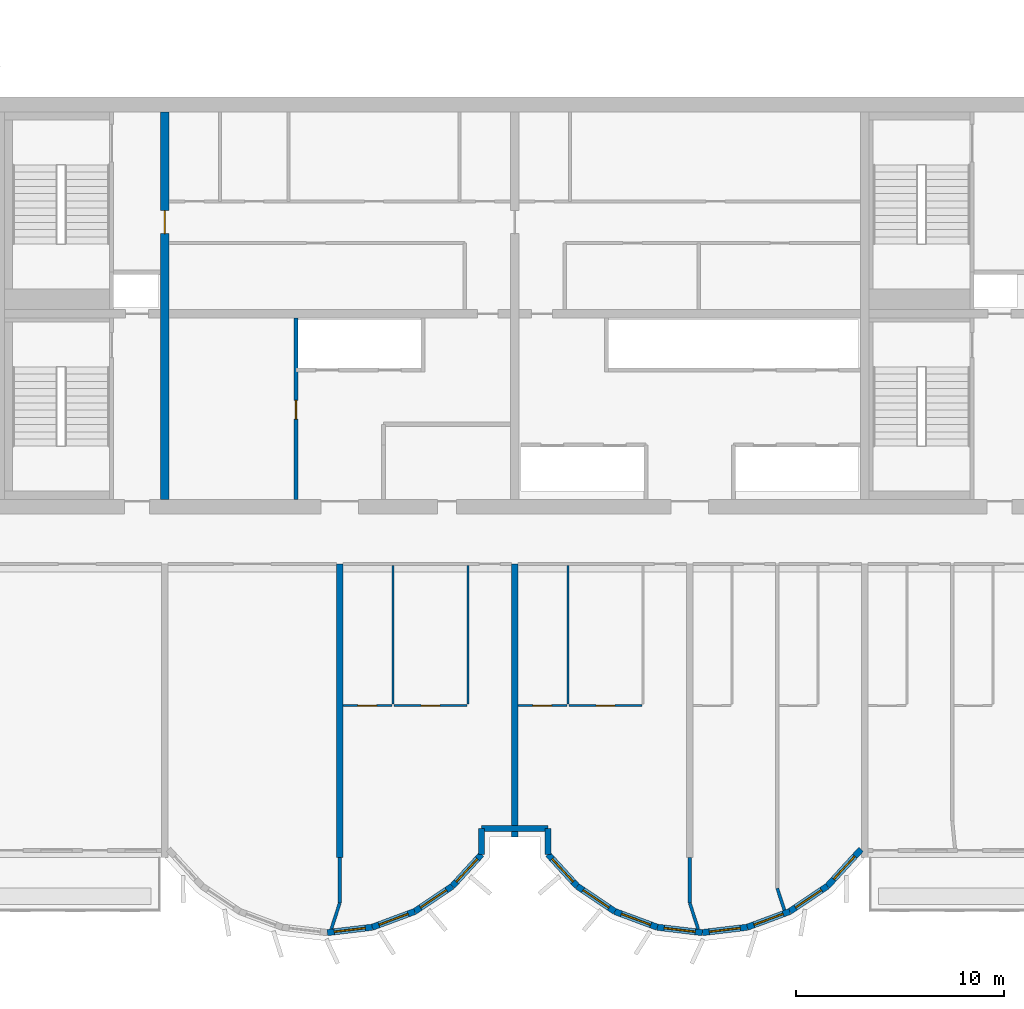
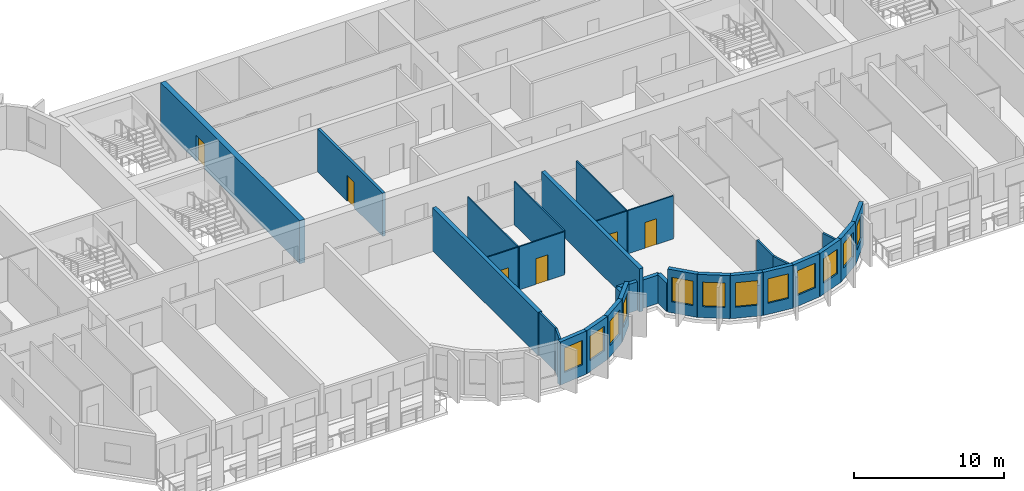
# One storey, part 4 of 13: 31 walls, 12 windows, 6 doors, 18 openings.
"""IFC4 building model written with IfcOpenShell, lengths in metres."""

from ifc_helpers import new_model, si_unit, direction, frame, frame_2d, origin, place, context, subcontext, project, spatial, rectangle, extrude, source, transform, mapped, material, layer, layer_set, type_object, element, fill, save


model = new_model("IFC4")

# Units and contexts
model_context = context("Model", 3, precision=1e-05, world=origin(), true_north=direction((0.0, 1.0)))
body_context = subcontext(model_context, "Body", "Model", "MODEL_VIEW")
ifc_project = project(units=[si_unit("LENGTHUNIT", "METRE"), si_unit("AREAUNIT", "SQUARE_METRE"), si_unit("VOLUMEUNIT", "CUBIC_METRE"), si_unit("PLANEANGLEUNIT", "RADIAN"), si_unit("MASSUNIT", "GRAM", prefix="KILO")], contexts=[model_context])

# Site, building, storey
site_placement = place(None, origin())
site = spatial("IfcSite", under=ifc_project, at=site_placement, CompositionType="ELEMENT")
building_placement = place(site_placement, origin())
building = spatial("IfcBuilding", under=site, at=building_placement, Name="Vanashikhar Sky Hotel", CompositionType="ELEMENT")
storey_placement = place(building_placement, frame((0.0, 0.0, 197.199951171875)))
storey = spatial("IfcBuildingStorey", under=building, at=storey_placement, Name="L48", CompositionType="ELEMENT", Elevation=197.199951171875)

# Wall, opening, door
ifc_material_1 = material(Name="Concrete M60", Category="concrete")
ifc_layer_1 = layer(ifc_material_1, 0.39990234375)
ifc_layer_set_1 = layer_set([ifc_layer_1], Name="RC core inner wall 400 Concrete M60")
wall_type_1 = type_object("IfcWallType", Name="RC core inner wall 400 Concrete M60", PredefinedType="SHEAR", material=ifc_layer_set_1)
shared_shape_1 = source(origin(), body_context, "Body", "SweptSolid", [
    extrude(rectangle(XDim=18.60009765625, YDim=0.39990234375, at=frame_2d((9.300048828125, 0.0))), origin(), (0.0, 0.0, 1.0), 3.52001953125),
])
wall_1_placement = place(storey_placement, frame((33.60009765625, 22.699951171875, 0.0), z_axis=(0.0, 0.0, 1.0), x_axis=(0.0, 1.0, 0.0)))
wall_1 = element("IfcWall", 1, at=wall_1_placement, inside=storey, type_object=wall_type_1, Name="KW-L48-KX1", PredefinedType="SHEAR", context=body_context, shape_type="MappedRepresentation", body=[
    mapped(shared_shape_1, transform((0.0, 0.0, 0.0), scale=1.0)),
])
shared_shape_2 = source(origin(), body_context, "Body", "SweptSolid", [
    extrude(rectangle(XDim=1.10009765625, YDim=2.10009765625, at=frame_2d((0.550048828125, 1.050048828125))), frame((0.0, 0.2099609375, 0.0), z_axis=(0.0, -1.0, 0.0), x_axis=(1.0, 0.0, 0.0)), (0.0, 0.0, 1.0), 0.419921875),
])
opening_1_placement = place(wall_1_placement, frame((12.75, 0.0, 0.0)))
opening_1 = element("IfcOpeningElement", 2, at=opening_1_placement, cuts=wall_1, Name="Opening DC-4-C", PredefinedType="OPENING", context=body_context, shape_type="MappedRepresentation", body=[
    mapped(shared_shape_2, transform((0.0, 0.0, 0.0), scale=1.0)),
])
ifc_material_2 = material(Name="Steel", Category="steel")
door_type_1 = type_object("IfcDoorType", Name="Service door 1100 FD60", OperationType="NOTDEFINED", PredefinedType="DOOR", material=ifc_material_2)
shared_shape_3 = source(origin(), body_context, "Body", "SweptSolid", [
    extrude(rectangle(XDim=1.10009765625, YDim=2.10009765625, at=frame_2d((0.550048828125, 1.050048828125))), frame((0.0, 0.02490234375, 0.0), z_axis=(0.0, -1.0, 0.0), x_axis=(1.0, 0.0, 0.0)), (0.0, 0.0, 1.0), 0.050048828125),
])
door_1_placement = place(opening_1_placement, origin())
door_1 = element("IfcDoor", 3, at=door_1_placement, inside=storey, type_object=door_type_1, Name="Service door 1100 FD60", OperationType="SINGLE_SWING_LEFT", OverallHeight=2.10009765625, OverallWidth=1.10009765625, PredefinedType="DOOR", context=body_context, shape_type="MappedRepresentation", body=[
    mapped(shared_shape_3, transform((0.0, 0.0, 0.0), scale=1.0)),
])
fill(opening_1, door_1)

# Walls
ifc_layer_2 = layer(ifc_material_1, 0.300048828125)
ifc_layer_set_2 = layer_set([ifc_layer_2], Name="RC shear wall 300 Concrete M60")
wall_type_2 = type_object("IfcWallType", Name="RC shear wall 300 Concrete M60", PredefinedType="SHEAR", material=ifc_layer_set_2)
shared_shape_4 = source(origin(), body_context, "Body", "SweptSolid", [
    extrude(rectangle(XDim=14.10009765625, YDim=0.300048828125, at=frame_2d((7.050048828125, 0.0))), origin(), (0.0, 0.0, 1.0), 3.52001953125),
])
wall_2_placement = place(storey_placement, frame((42.0, 5.5, 0.0), z_axis=(0.0, 0.0, 1.0), x_axis=(0.0, 1.0, 0.0)))
element("IfcWall", 4, at=wall_2_placement, inside=storey, type_object=wall_type_2, Name="CW-L48-XW06-1", PredefinedType="SHEAR", context=body_context, shape_type="MappedRepresentation", body=[
    mapped(shared_shape_4, transform((0.0, 0.0, 0.0), scale=1.0)),
])
shared_shape_5 = source(origin(), body_context, "Body", "SweptSolid", [
    extrude(rectangle(XDim=13.10009765625, YDim=0.300048828125, at=frame_2d((6.550048828125, 0.0))), origin(), (0.0, 0.0, 1.0), 3.52001953125),
])
wall_3_placement = place(storey_placement, frame((50.39990234375, 6.5, 0.0), z_axis=(0.0, 0.0, 1.0), x_axis=(0.0, 1.0, 0.0)))
element("IfcWall", 5, at=wall_3_placement, inside=storey, type_object=wall_type_2, Name="CW-L48-XW07-1", PredefinedType="SHEAR", context=body_context, shape_type="MappedRepresentation", body=[
    mapped(shared_shape_5, transform((0.0, 0.0, 0.0), scale=1.0)),
])

# Wall, opening, window
ifc_material_3 = material(Name="Concrete M50", Category="concrete")
ifc_layer_3 = layer(ifc_material_3, 0.300048828125)
ifc_layer_set_3 = layer_set([ifc_layer_3], Name="Lobe wall 300")
wall_type_3 = type_object("IfcWallType", Name="Lobe wall 300", PredefinedType="SOLIDWALL", material=ifc_layer_set_3)
shared_shape_6 = source(origin(), body_context, "Body", "SweptSolid", [
    extrude(rectangle(XDim=2.398193359375, YDim=0.300048828125, at=frame_2d((1.19921875, 0.0))), origin(), (0.0, 0.0, 1.0), 3.52001953125),
])
wall_4_placement = place(storey_placement, frame((65.404296875, 4.13134765625, 0.0), z_axis=(0.0, 0.0, 1.0), x_axis=(0.675374189419, 0.737475222815, 0.0)))
wall_4 = element("IfcWall", 6, at=wall_4_placement, inside=storey, type_object=wall_type_3, Name="Lobe wall", PredefinedType="SOLIDWALL", context=body_context, shape_type="MappedRepresentation", body=[
    mapped(shared_shape_6, transform((0.0, 0.0, 0.0), scale=1.0)),
])
shared_shape_7 = source(origin(), body_context, "Body", "SweptSolid", [
    extrude(rectangle(XDim=1.5, YDim=2.0, at=frame_2d((0.75, 1.0))), frame((0.0, 0.16015625, 0.0), z_axis=(0.0, -1.0, 0.0), x_axis=(1.0, 0.0, 0.0)), (0.0, 0.0, 1.0), 0.320068359375),
])
opening_2_placement = place(wall_4_placement, frame((0.44921875, 0.0, 0.89990234375)))
opening_2 = element("IfcOpeningElement", 7, at=opening_2_placement, cuts=wall_4, Name="Opening WN-2", PredefinedType="OPENING", context=body_context, shape_type="MappedRepresentation", body=[
    mapped(shared_shape_7, transform((0.0, 0.0, 0.0), scale=1.0)),
])
ifc_material_4 = material(Name="Glass", Category="glass")
window_type = type_object("IfcWindowType", Name="Lobe window 1500 x 2000", PartitioningType="SINGLE_PANEL", PredefinedType="WINDOW", material=ifc_material_4)
shared_shape_8 = source(origin(), body_context, "Body", "SweptSolid", [
    extrude(rectangle(XDim=1.5, YDim=2.0, at=frame_2d((0.75, 1.0))), frame((0.0, 0.030029296875, 0.0), z_axis=(0.0, -1.0, 0.0), x_axis=(1.0, 0.0, 0.0)), (0.0, 0.0, 1.0), 0.06005859375),
])
window_1_placement = place(opening_2_placement, origin())
window_1 = element("IfcWindow", 8, at=window_1_placement, inside=storey, type_object=window_type, Name="Window WN-2", OverallHeight=2.0, OverallWidth=1.5, PartitioningType="SINGLE_PANEL", PredefinedType="WINDOW", context=body_context, shape_type="MappedRepresentation", body=[
    mapped(shared_shape_8, transform((0.0, 0.0, 0.0), scale=1.0)),
])
fill(opening_2, window_1)

shared_shape_9 = source(origin(), body_context, "Body", "SweptSolid", [
    extrude(rectangle(XDim=2.17578125, YDim=0.300048828125, at=frame_2d((1.087890625, 0.0))), origin(), (0.0, 0.0, 1.0), 3.52001953125),
])
wall_5_placement = place(storey_placement, frame((45.59912109375, 2.91650390625, 0.0), z_axis=(0.0, 0.0, 1.0), x_axis=(0.829625727223, 0.558319937607, 0.0)))
wall_5 = element("IfcWall", 9, at=wall_5_placement, inside=storey, type_object=wall_type_3, Name="Lobe wall", PredefinedType="SOLIDWALL", context=body_context, shape_type="MappedRepresentation", body=[
    mapped(shared_shape_9, transform((0.0, 0.0, 0.0), scale=1.0)),
])
opening_3_placement = place(wall_5_placement, frame((0.337890625, 0.0, 0.89990234375)))
opening_3 = element("IfcOpeningElement", 10, at=opening_3_placement, cuts=wall_5, Name="Opening WN-2", PredefinedType="OPENING", context=body_context, shape_type="MappedRepresentation", body=[
    mapped(shared_shape_7, transform((0.0, 0.0, 0.0), scale=1.0)),
])
window_2_placement = place(opening_3_placement, origin())
window_2 = element("IfcWindow", 11, at=window_2_placement, inside=storey, type_object=window_type, Name="Window WN-2", OverallHeight=2.0, OverallWidth=1.5, PartitioningType="SINGLE_PANEL", PredefinedType="WINDOW", context=body_context, shape_type="MappedRepresentation", body=[
    mapped(shared_shape_8, transform((0.0, 0.0, 0.0), scale=1.0)),
])
fill(opening_3, window_2)

wall_6_placement = place(storey_placement, frame((53.395751953125, 4.13134765625, 0.0), z_axis=(0.0, 0.0, 1.0), x_axis=(0.829590746428, -0.558371913192, 0.0)))
wall_6 = element("IfcWall", 12, at=wall_6_placement, inside=storey, type_object=wall_type_3, Name="Lobe wall", PredefinedType="SOLIDWALL", context=body_context, shape_type="MappedRepresentation", body=[
    mapped(shared_shape_9, transform((0.0, 0.0, 0.0), scale=1.0)),
])
opening_4_placement = place(wall_6_placement, frame((0.337890625, 0.0, 0.89990234375)))
opening_4 = element("IfcOpeningElement", 13, at=opening_4_placement, cuts=wall_6, Name="Opening WN-2", PredefinedType="OPENING", context=body_context, shape_type="MappedRepresentation", body=[
    mapped(shared_shape_7, transform((0.0, 0.0, 0.0), scale=1.0)),
])
window_3_placement = place(opening_4_placement, origin())
window_3 = element("IfcWindow", 14, at=window_3_placement, inside=storey, type_object=window_type, Name="Window WN-2", OverallHeight=2.0, OverallWidth=1.5, PartitioningType="SINGLE_PANEL", PredefinedType="WINDOW", context=body_context, shape_type="MappedRepresentation", body=[
    mapped(shared_shape_8, transform((0.0, 0.0, 0.0), scale=1.0)),
])
fill(opening_4, window_3)

wall_7_placement = place(storey_placement, frame((55.20068359375, 2.91650390625, 0.0), z_axis=(0.0, 0.0, 1.0), x_axis=(0.93754555999, -0.347862505801, 0.0)))
wall_7 = element("IfcWall", 15, at=wall_7_placement, inside=storey, type_object=wall_type_3, Name="Lobe wall", PredefinedType="SOLIDWALL", context=body_context, shape_type="MappedRepresentation", body=[
    mapped(shared_shape_9, transform((0.0, 0.0, 0.0), scale=1.0)),
])
opening_5_placement = place(wall_7_placement, frame((0.337890625, 0.0, 0.89990234375)))
opening_5 = element("IfcOpeningElement", 16, at=opening_5_placement, cuts=wall_7, Name="Opening WN-2", PredefinedType="OPENING", context=body_context, shape_type="MappedRepresentation", body=[
    mapped(shared_shape_7, transform((0.0, 0.0, 0.0), scale=1.0)),
])
window_4_placement = place(opening_5_placement, origin())
window_4 = element("IfcWindow", 17, at=window_4_placement, inside=storey, type_object=window_type, Name="Window WN-2", OverallHeight=2.0, OverallWidth=1.5, PartitioningType="SINGLE_PANEL", PredefinedType="WINDOW", context=body_context, shape_type="MappedRepresentation", body=[
    mapped(shared_shape_8, transform((0.0, 0.0, 0.0), scale=1.0)),
])
fill(opening_5, window_4)

wall_8_placement = place(storey_placement, frame((63.59912109375, 2.91650390625, 0.0), z_axis=(0.0, 0.0, 1.0), x_axis=(0.829625727223, 0.558319937607, 0.0)))
wall_8 = element("IfcWall", 18, at=wall_8_placement, inside=storey, type_object=wall_type_3, Name="Lobe wall", PredefinedType="SOLIDWALL", context=body_context, shape_type="MappedRepresentation", body=[
    mapped(shared_shape_9, transform((0.0, 0.0, 0.0), scale=1.0)),
])
opening_6_placement = place(wall_8_placement, frame((0.337890625, 0.0, 0.89990234375)))
opening_6 = element("IfcOpeningElement", 19, at=opening_6_placement, cuts=wall_8, Name="Opening WN-2", PredefinedType="OPENING", context=body_context, shape_type="MappedRepresentation", body=[
    mapped(shared_shape_7, transform((0.0, 0.0, 0.0), scale=1.0)),
])
window_5_placement = place(opening_6_placement, origin())
window_5 = element("IfcWindow", 20, at=window_5_placement, inside=storey, type_object=window_type, Name="Window WN-2", OverallHeight=2.0, OverallWidth=1.5, PartitioningType="SINGLE_PANEL", PredefinedType="WINDOW", context=body_context, shape_type="MappedRepresentation", body=[
    mapped(shared_shape_8, transform((0.0, 0.0, 0.0), scale=1.0)),
])
fill(opening_6, window_5)

shared_shape_10 = source(origin(), body_context, "Body", "SweptSolid", [
    extrude(rectangle(XDim=2.174560546875, YDim=0.300048828125, at=frame_2d((1.08740234375, 0.0))), origin(), (0.0, 0.0, 1.0), 3.52001953125),
])
wall_9_placement = place(storey_placement, frame((57.240478515625, 2.15966796875, 0.0), z_axis=(0.0, 0.0, 1.0), x_axis=(0.993001132889, -0.118104826659, 0.0)))
wall_9 = element("IfcWall", 21, at=wall_9_placement, inside=storey, type_object=wall_type_3, Name="Lobe wall", PredefinedType="SOLIDWALL", context=body_context, shape_type="MappedRepresentation", body=[
    mapped(shared_shape_10, transform((0.0, 0.0, 0.0), scale=1.0)),
])
opening_7_placement = place(wall_9_placement, frame((0.33740234375, 0.0, 0.89990234375)))
opening_7 = element("IfcOpeningElement", 22, at=opening_7_placement, cuts=wall_9, Name="Opening WN-2", PredefinedType="OPENING", context=body_context, shape_type="MappedRepresentation", body=[
    mapped(shared_shape_7, transform((0.0, 0.0, 0.0), scale=1.0)),
])
window_6_placement = place(opening_7_placement, origin())
window_6 = element("IfcWindow", 23, at=window_6_placement, inside=storey, type_object=window_type, Name="Window WN-2", OverallHeight=2.0, OverallWidth=1.5, PartitioningType="SINGLE_PANEL", PredefinedType="WINDOW", context=body_context, shape_type="MappedRepresentation", body=[
    mapped(shared_shape_8, transform((0.0, 0.0, 0.0), scale=1.0)),
])
fill(opening_7, window_6)

shared_shape_11 = source(origin(), body_context, "Body", "SweptSolid", [
    extrude(rectangle(XDim=2.1748046875, YDim=0.300048828125, at=frame_2d((1.08740234375, 0.0))), origin(), (0.0, 0.0, 1.0), 3.52001953125),
])
wall_10_placement = place(storey_placement, frame((41.39990234375, 1.90283203125, 0.0), z_axis=(0.0, 0.0, 1.0), x_axis=(0.993002698611, 0.118091661648, 0.0)))
wall_10 = element("IfcWall", 24, at=wall_10_placement, inside=storey, type_object=wall_type_3, Name="Lobe wall", PredefinedType="SOLIDWALL", context=body_context, shape_type="MappedRepresentation", body=[
    mapped(shared_shape_11, transform((0.0, 0.0, 0.0), scale=1.0)),
])
opening_8_placement = place(wall_10_placement, frame((0.33740234375, 0.0, 0.89990234375)))
opening_8 = element("IfcOpeningElement", 25, at=opening_8_placement, cuts=wall_10, Name="Opening WN-2", PredefinedType="OPENING", context=body_context, shape_type="MappedRepresentation", body=[
    mapped(shared_shape_7, transform((0.0, 0.0, 0.0), scale=1.0)),
])
window_7_placement = place(opening_8_placement, origin())
window_7 = element("IfcWindow", 26, at=window_7_placement, inside=storey, type_object=window_type, Name="Window WN-2", OverallHeight=2.0, OverallWidth=1.5, PartitioningType="SINGLE_PANEL", PredefinedType="WINDOW", context=body_context, shape_type="MappedRepresentation", body=[
    mapped(shared_shape_8, transform((0.0, 0.0, 0.0), scale=1.0)),
])
fill(opening_8, window_7)

wall_11_placement = place(storey_placement, frame((59.39990234375, 1.90283203125, 0.0), z_axis=(0.0, 0.0, 1.0), x_axis=(0.993002698611, 0.118091661648, 0.0)))
wall_11 = element("IfcWall", 27, at=wall_11_placement, inside=storey, type_object=wall_type_3, Name="Lobe wall", PredefinedType="SOLIDWALL", context=body_context, shape_type="MappedRepresentation", body=[
    mapped(shared_shape_11, transform((0.0, 0.0, 0.0), scale=1.0)),
])
opening_9_placement = place(wall_11_placement, frame((0.33740234375, 0.0, 0.89990234375)))
opening_9 = element("IfcOpeningElement", 28, at=opening_9_placement, cuts=wall_11, Name="Opening WN-2", PredefinedType="OPENING", context=body_context, shape_type="MappedRepresentation", body=[
    mapped(shared_shape_7, transform((0.0, 0.0, 0.0), scale=1.0)),
])
window_8_placement = place(opening_9_placement, origin())
window_8 = element("IfcWindow", 29, at=window_8_placement, inside=storey, type_object=window_type, Name="Window WN-2", OverallHeight=2.0, OverallWidth=1.5, PartitioningType="SINGLE_PANEL", PredefinedType="WINDOW", context=body_context, shape_type="MappedRepresentation", body=[
    mapped(shared_shape_8, transform((0.0, 0.0, 0.0), scale=1.0)),
])
fill(opening_9, window_8)

shared_shape_12 = source(origin(), body_context, "Body", "SweptSolid", [
    extrude(rectangle(XDim=2.175537109375, YDim=0.300048828125, at=frame_2d((1.087890625, 0.0))), origin(), (0.0, 0.0, 1.0), 3.52001953125),
])
wall_12_placement = place(storey_placement, frame((43.5595703125, 2.15966796875, 0.0), z_axis=(0.0, 0.0, 1.0), x_axis=(0.937531979054, 0.347899106424, 0.0)))
wall_12 = element("IfcWall", 30, at=wall_12_placement, inside=storey, type_object=wall_type_3, Name="Lobe wall", PredefinedType="SOLIDWALL", context=body_context, shape_type="MappedRepresentation", body=[
    mapped(shared_shape_12, transform((0.0, 0.0, 0.0), scale=1.0)),
])
opening_10_placement = place(wall_12_placement, frame((0.337890625, 0.0, 0.89990234375)))
opening_10 = element("IfcOpeningElement", 31, at=opening_10_placement, cuts=wall_12, Name="Opening WN-2", PredefinedType="OPENING", context=body_context, shape_type="MappedRepresentation", body=[
    mapped(shared_shape_7, transform((0.0, 0.0, 0.0), scale=1.0)),
])
window_9_placement = place(opening_10_placement, origin())
window_9 = element("IfcWindow", 32, at=window_9_placement, inside=storey, type_object=window_type, Name="Window WN-2", OverallHeight=2.0, OverallWidth=1.5, PartitioningType="SINGLE_PANEL", PredefinedType="WINDOW", context=body_context, shape_type="MappedRepresentation", body=[
    mapped(shared_shape_8, transform((0.0, 0.0, 0.0), scale=1.0)),
])
fill(opening_10, window_9)

wall_13_placement = place(storey_placement, frame((61.5595703125, 2.15966796875, 0.0), z_axis=(0.0, 0.0, 1.0), x_axis=(0.937531979054, 0.347899106424, 0.0)))
wall_13 = element("IfcWall", 33, at=wall_13_placement, inside=storey, type_object=wall_type_3, Name="Lobe wall", PredefinedType="SOLIDWALL", context=body_context, shape_type="MappedRepresentation", body=[
    mapped(shared_shape_12, transform((0.0, 0.0, 0.0), scale=1.0)),
])
opening_11_placement = place(wall_13_placement, frame((0.337890625, 0.0, 0.89990234375)))
opening_11 = element("IfcOpeningElement", 34, at=opening_11_placement, cuts=wall_13, Name="Opening WN-2", PredefinedType="OPENING", context=body_context, shape_type="MappedRepresentation", body=[
    mapped(shared_shape_7, transform((0.0, 0.0, 0.0), scale=1.0)),
])
window_10_placement = place(opening_11_placement, origin())
window_10 = element("IfcWindow", 35, at=window_10_placement, inside=storey, type_object=window_type, Name="Window WN-2", OverallHeight=2.0, OverallWidth=1.5, PartitioningType="SINGLE_PANEL", PredefinedType="WINDOW", context=body_context, shape_type="MappedRepresentation", body=[
    mapped(shared_shape_8, transform((0.0, 0.0, 0.0), scale=1.0)),
])
fill(opening_11, window_10)

shared_shape_13 = source(origin(), body_context, "Body", "SweptSolid", [
    extrude(rectangle(XDim=2.066650390625, YDim=0.300048828125, at=frame_2d((1.033203125, 0.0))), origin(), (0.0, 0.0, 1.0), 3.52001953125),
])
wall_14_placement = place(storey_placement, frame((47.404296875, 4.13134765625, 0.0), z_axis=(0.0, 0.0, 1.0), x_axis=(0.675355439877, 0.737492393065, 0.0)))
wall_14 = element("IfcWall", 36, at=wall_14_placement, inside=storey, type_object=wall_type_3, Name="Lobe wall", PredefinedType="SOLIDWALL", context=body_context, shape_type="MappedRepresentation", body=[
    mapped(shared_shape_13, transform((0.0, 0.0, 0.0), scale=1.0)),
])
opening_12_placement = place(wall_14_placement, frame((0.283447265625, 0.0, 0.89990234375)))
opening_12 = element("IfcOpeningElement", 37, at=opening_12_placement, cuts=wall_14, Name="Opening WN-2", PredefinedType="OPENING", context=body_context, shape_type="MappedRepresentation", body=[
    mapped(shared_shape_7, transform((0.0, 0.0, 0.0), scale=1.0)),
])
window_11_placement = place(opening_12_placement, origin())
window_11 = element("IfcWindow", 38, at=window_11_placement, inside=storey, type_object=window_type, Name="Window WN-2", OverallHeight=2.0, OverallWidth=1.5, PartitioningType="SINGLE_PANEL", PredefinedType="WINDOW", context=body_context, shape_type="MappedRepresentation", body=[
    mapped(shared_shape_8, transform((0.0, 0.0, 0.0), scale=1.0)),
])
fill(opening_12, window_11)

wall_15_placement = place(storey_placement, frame((52.0, 5.655517578125, 0.0), z_axis=(0.0, 0.0, 1.0), x_axis=(0.675355439877, -0.737492393065, 0.0)))
wall_15 = element("IfcWall", 39, at=wall_15_placement, inside=storey, type_object=wall_type_3, Name="Lobe wall", PredefinedType="SOLIDWALL", context=body_context, shape_type="MappedRepresentation", body=[
    mapped(shared_shape_13, transform((0.0, 0.0, 0.0), scale=1.0)),
])
opening_13_placement = place(wall_15_placement, frame((0.283447265625, 0.0, 0.89990234375)))
opening_13 = element("IfcOpeningElement", 40, at=opening_13_placement, cuts=wall_15, Name="Opening WN-2", PredefinedType="OPENING", context=body_context, shape_type="MappedRepresentation", body=[
    mapped(shared_shape_7, transform((0.0, 0.0, 0.0), scale=1.0)),
])
window_12_placement = place(opening_13_placement, origin())
window_12 = element("IfcWindow", 41, at=window_12_placement, inside=storey, type_object=window_type, Name="Window WN-2", OverallHeight=2.0, OverallWidth=1.5, PartitioningType="SINGLE_PANEL", PredefinedType="WINDOW", context=body_context, shape_type="MappedRepresentation", body=[
    mapped(shared_shape_8, transform((0.0, 0.0, 0.0), scale=1.0)),
])
fill(opening_13, window_12)

# Walls
shared_shape_14 = source(origin(), body_context, "Body", "SweptSolid", [
    extrude(rectangle(XDim=1.244384765625, YDim=0.300048828125, at=frame_2d((0.6220703125, 0.0))), origin(), (0.0, 0.0, 1.0), 2.320068359375),
])
for number, where, z_axis, x_axis, name in (
    (42, (48.800048828125, 5.655517578125, 0.0), (0.0, 0.0, 1.0), (0.0, 1.0, 0.0), "Groove wall"),
    (43, (52.0, 6.89990234375, 0.0), (0.0, 0.0, 1.0), (0.0, -1.0, 0.0), "Groove wall"),
):
    element("IfcWall", number, at=place(storey_placement, frame(where, z_axis=z_axis, x_axis=x_axis)), inside=storey, type_object=wall_type_3, Name=name, PredefinedType="SOLIDWALL", context=body_context, shape_type="MappedRepresentation", body=[
        mapped(shared_shape_14, transform((0.0, 0.0, 0.0), scale=1.0)),
    ])
shared_shape_15 = source(origin(), body_context, "Body", "SweptSolid", [
    extrude(rectangle(XDim=3.199951171875, YDim=0.300048828125, at=frame_2d((1.60009765625, 0.0))), origin(), (0.0, 0.0, 1.0), 2.320068359375),
])
wall_16_placement = place(storey_placement, frame((48.800048828125, 6.89990234375, 0.0), z_axis=(0.0, 0.0, 1.0), x_axis=(1.0, 0.0, 0.0)))
element("IfcWall", 44, at=wall_16_placement, inside=storey, type_object=wall_type_3, Name="Groove wall", PredefinedType="SOLIDWALL", context=body_context, shape_type="MappedRepresentation", body=[
    mapped(shared_shape_15, transform((0.0, 0.0, 0.0), scale=1.0)),
])

# Wall, opening, door
ifc_material_5 = material(Name="Gypsum board partition")
ifc_layer_4 = layer(ifc_material_5, 0.14990234375)
ifc_layer_set_4 = layer_set([ifc_layer_4], Name="Service partition 150")
wall_type_4 = type_object("IfcWallType", Name="Service partition 150", PredefinedType="PARTITIONING", material=ifc_layer_set_4)
shared_shape_16 = source(origin(), body_context, "Body", "SweptSolid", [
    extrude(rectangle(XDim=8.699951171875, YDim=0.199951171875, at=frame_2d((4.35009765625, 0.0))), origin(), (0.0, 0.0, 1.0), 3.52001953125),
])
wall_17_placement = place(storey_placement, frame((39.89990234375, 22.699951171875, 0.0), z_axis=(0.0, 0.0, 1.0), x_axis=(0.0, 1.0, 0.0)))
wall_17 = element("IfcWall", 45, at=wall_17_placement, inside=storey, type_object=wall_type_4, Name="Service partition 150", PredefinedType="PARTITIONING", context=body_context, shape_type="MappedRepresentation", body=[
    mapped(shared_shape_16, transform((0.0, 0.0, 0.0), scale=1.0)),
])
shared_shape_17 = source(origin(), body_context, "Body", "SweptSolid", [
    extrude(rectangle(XDim=0.89990234375, YDim=2.10009765625, at=frame_2d((0.449951171875, 1.050048828125))), frame((0.0, 0.10986328125, 0.0), z_axis=(0.0, -1.0, 0.0), x_axis=(1.0, 0.0, 0.0)), (0.0, 0.0, 1.0), 0.219970703125),
])
opening_14_placement = place(wall_17_placement, frame((3.85009765625, 0.0, 0.0)))
opening_14 = element("IfcOpeningElement", 46, at=opening_14_placement, cuts=wall_17, Name="Opening DC-4-A", PredefinedType="OPENING", context=body_context, shape_type="MappedRepresentation", body=[
    mapped(shared_shape_17, transform((0.0, 0.0, 0.0), scale=1.0)),
])
door_type_2 = type_object("IfcDoorType", Name="Service door 900 FD60", OperationType="NOTDEFINED", PredefinedType="DOOR", material=ifc_material_2)
shared_shape_18 = source(origin(), body_context, "Body", "SweptSolid", [
    extrude(rectangle(XDim=0.89990234375, YDim=2.10009765625, at=frame_2d((0.449951171875, 1.050048828125))), frame((0.0, 0.02490234375, 0.0), z_axis=(0.0, -1.0, 0.0), x_axis=(1.0, 0.0, 0.0)), (0.0, 0.0, 1.0), 0.050048828125),
])
door_2_placement = place(opening_14_placement, origin())
door_2 = element("IfcDoor", 47, at=door_2_placement, inside=storey, type_object=door_type_2, Name="Service door 900 FD60", OperationType="SINGLE_SWING_RIGHT", OverallHeight=2.10009765625, OverallWidth=0.89990234375, PredefinedType="DOOR", context=body_context, shape_type="MappedRepresentation", body=[
    mapped(shared_shape_18, transform((0.0, 0.0, 0.0), scale=1.0)),
])
fill(opening_14, door_2)

# Walls
ifc_material_6 = material(Name="Gypsum plasterboard partition")
ifc_layer_5 = layer(ifc_material_6, 0.14990234375)
ifc_layer_set_5 = layer_set([ifc_layer_5], Name="Corridor and demising partition 150")
wall_type_5 = type_object("IfcWallType", Name="Corridor and demising partition 150", PredefinedType="PARTITIONING", material=ifc_layer_set_5)
shared_shape_19 = source(origin(), body_context, "Body", "SweptSolid", [
    extrude(rectangle(XDim=2.177978515625, YDim=0.14990234375, at=frame_2d((1.0888671875, 0.0))), origin(), (0.0, 0.0, 1.0), 3.52001953125),
])
for number, where, z_axis, x_axis, name in (
    (48, (42.0, 3.322021484375, 0.0), (0.0, 0.0, 1.0), (0.0, 1.0, 0.0), "W-L48-PW051"),
    (49, (58.800048828125, 3.322021484375, 0.0), (0.0, 0.0, 1.0), (0.0, 1.0, 0.0), "W-L48-PW052"),
):
    element("IfcWall", number, at=place(storey_placement, frame(where, z_axis=z_axis, x_axis=x_axis)), inside=storey, type_object=wall_type_5, Name=name, PredefinedType="PARTITIONING", context=body_context, shape_type="MappedRepresentation", body=[
        mapped(shared_shape_19, transform((0.0, 0.0, 0.0), scale=1.0)),
    ])

# Wall, opening, door
ifc_layer_6 = layer(ifc_material_6, 0.10009765625)
ifc_layer_set_6 = layer_set([ifc_layer_6], Name="Wet room partition 100")
wall_type_6 = type_object("IfcWallType", Name="Wet room partition 100", PredefinedType="PARTITIONING", material=ifc_layer_set_6)
shared_shape_20 = source(origin(), body_context, "Body", "SweptSolid", [
    extrude(rectangle(XDim=3.5, YDim=0.10009765625, at=frame_2d((1.75, 0.0))), origin(), (0.0, 0.0, 1.0), 3.52001953125),
])
wall_18_placement = place(storey_placement, frame((44.60009765625, 12.800048828125, 0.0), z_axis=(0.0, 0.0, 1.0), x_axis=(1.0, 0.0, 0.0)))
wall_18 = element("IfcWall", 50, at=wall_18_placement, inside=storey, type_object=wall_type_6, Name="W-L48-PW015", PredefinedType="PARTITIONING", context=body_context, shape_type="MappedRepresentation", body=[
    mapped(shared_shape_20, transform((0.0, 0.0, 0.0), scale=1.0)),
])
shared_shape_21 = source(origin(), body_context, "Body", "SweptSolid", [
    extrude(rectangle(XDim=0.89990234375, YDim=2.10009765625, at=frame_2d((0.449951171875, 1.050048828125))), frame((0.0, 0.06005859375, 0.0), z_axis=(0.0, -1.0, 0.0), x_axis=(1.0, 0.0, 0.0)), (0.0, 0.0, 1.0), 0.1201171875),
])
opening_15_placement = place(wall_18_placement, frame((1.300048828125, 0.0, 0.0)))
opening_15 = element("IfcOpeningElement", 51, at=opening_15_placement, cuts=wall_18, Name="Opening D-02", PredefinedType="OPENING", context=body_context, shape_type="MappedRepresentation", body=[
    mapped(shared_shape_21, transform((0.0, 0.0, 0.0), scale=1.0)),
])
ifc_material_7 = material(Name="Timber door", Category="wood")
door_type_3 = type_object("IfcDoorType", Name="Internal door 900", OperationType="NOTDEFINED", PredefinedType="DOOR", material=ifc_material_7)
door_3_placement = place(opening_15_placement, origin())
door_3 = element("IfcDoor", 52, at=door_3_placement, inside=storey, type_object=door_type_3, Name="D-L48-009", OperationType="SINGLE_SWING_RIGHT", OverallHeight=2.10009765625, OverallWidth=0.89990234375, PredefinedType="DOOR", context=body_context, shape_type="MappedRepresentation", body=[
    mapped(shared_shape_18, transform((0.0, 0.0, 0.0), scale=1.0)),
])
fill(opening_15, door_3)

wall_19_placement = place(storey_placement, frame((53.0, 12.800048828125, 0.0), z_axis=(0.0, 0.0, 1.0), x_axis=(1.0, 0.0, 0.0)))
wall_19 = element("IfcWall", 53, at=wall_19_placement, inside=storey, type_object=wall_type_6, Name="W-L48-PW020", PredefinedType="PARTITIONING", context=body_context, shape_type="MappedRepresentation", body=[
    mapped(shared_shape_20, transform((0.0, 0.0, 0.0), scale=1.0)),
])
opening_16_placement = place(wall_19_placement, frame((1.300048828125, 0.0, 0.0)))
opening_16 = element("IfcOpeningElement", 54, at=opening_16_placement, cuts=wall_19, Name="Opening D-02", PredefinedType="OPENING", context=body_context, shape_type="MappedRepresentation", body=[
    mapped(shared_shape_21, transform((0.0, 0.0, 0.0), scale=1.0)),
])
door_4_placement = place(opening_16_placement, origin())
door_4 = element("IfcDoor", 55, at=door_4_placement, inside=storey, type_object=door_type_3, Name="D-L48-012", OperationType="SINGLE_SWING_RIGHT", OverallHeight=2.10009765625, OverallWidth=0.89990234375, PredefinedType="DOOR", context=body_context, shape_type="MappedRepresentation", body=[
    mapped(shared_shape_18, transform((0.0, 0.0, 0.0), scale=1.0)),
])
fill(opening_16, door_4)

# Walls
shared_shape_22 = source(origin(), body_context, "Body", "SweptSolid", [
    extrude(rectangle(XDim=1.100830078125, YDim=0.14990234375, at=frame_2d((0.55029296875, 0.0))), origin(), (0.0, 0.0, 1.0), 3.52001953125),
])
wall_20_placement = place(storey_placement, frame((63.343017578125, 2.98095703125, 0.0), z_axis=(0.0, 0.0, 1.0), x_axis=(-0.311567081539, 0.950224159712, 0.0)))
element("IfcWall", 56, at=wall_20_placement, inside=storey, type_object=wall_type_5, Name="W-L48-PW029B0", PredefinedType="PARTITIONING", context=body_context, shape_type="MappedRepresentation", body=[
    mapped(shared_shape_22, transform((0.0, 0.0, 0.0), scale=1.0)),
])
shared_shape_23 = source(origin(), body_context, "Body", "SweptSolid", [
    extrude(rectangle(XDim=1.308349609375, YDim=0.14990234375, at=frame_2d((0.654296875, 0.0))), origin(), (0.0, 0.0, 1.0), 3.52001953125),
])
for number, where, z_axis, x_axis, name in (
    (57, (41.597900390625, 2.076904296875, 0.0), (0.0, 0.0, 1.0), (0.307313512187, 0.951608325535, 0.0), "W-L48-PW051B0"),
    (58, (59.201904296875, 2.076904296875, 0.0), (0.0, 0.0, 1.0), (-0.307144529633, 0.951662880392, 0.0), "W-L48-PW052B0"),
):
    element("IfcWall", number, at=place(storey_placement, frame(where, z_axis=z_axis, x_axis=x_axis)), inside=storey, type_object=wall_type_5, Name=name, PredefinedType="PARTITIONING", context=body_context, shape_type="MappedRepresentation", body=[
        mapped(shared_shape_23, transform((0.0, 0.0, 0.0), scale=1.0)),
    ])

# Wall, opening, door
shared_shape_24 = source(origin(), body_context, "Body", "SweptSolid", [
    extrude(rectangle(XDim=2.349853515625, YDim=0.10009765625, at=frame_2d((1.1748046875, 0.0))), origin(), (0.0, 0.0, 1.0), 3.52001953125),
])
wall_21_placement = place(storey_placement, frame((50.550048828125, 12.800048828125, 0.0), z_axis=(0.0, 0.0, 1.0), x_axis=(1.0, 0.0, 0.0)))
wall_21 = element("IfcWall", 59, at=wall_21_placement, inside=storey, type_object=wall_type_6, Name="W-L48-PW021", PredefinedType="PARTITIONING", context=body_context, shape_type="MappedRepresentation", body=[
    mapped(shared_shape_24, transform((0.0, 0.0, 0.0), scale=1.0)),
])
opening_17_placement = place(wall_21_placement, frame((0.72509765625, 0.0, 0.0)))
opening_17 = element("IfcOpeningElement", 60, at=opening_17_placement, cuts=wall_21, Name="Opening D-02", PredefinedType="OPENING", context=body_context, shape_type="MappedRepresentation", body=[
    mapped(shared_shape_21, transform((0.0, 0.0, 0.0), scale=1.0)),
])
door_5_placement = place(opening_17_placement, origin())
door_5 = element("IfcDoor", 61, at=door_5_placement, inside=storey, type_object=door_type_3, Name="D-L48-013", OperationType="SINGLE_SWING_RIGHT", OverallHeight=2.10009765625, OverallWidth=0.89990234375, PredefinedType="DOOR", context=body_context, shape_type="MappedRepresentation", body=[
    mapped(shared_shape_18, transform((0.0, 0.0, 0.0), scale=1.0)),
])
fill(opening_17, door_5)

# Walls
shared_shape_25 = source(origin(), body_context, "Body", "SweptSolid", [
    extrude(rectangle(XDim=6.64990234375, YDim=0.10009765625, at=frame_2d((3.324951171875, 0.0))), origin(), (0.0, 0.0, 1.0), 3.52001953125),
])
for number, where, z_axis, x_axis, name in (
    (62, (48.14990234375, 12.875, 0.0), (0.0, 0.0, 1.0), (0.0, 1.0, 0.0), "W-L48-PW013"),
    (63, (44.550048828125, 12.875, 0.0), (0.0, 0.0, 1.0), (0.0, 1.0, 0.0), "W-L48-PW014"),
    (64, (52.949951171875, 12.875, 0.0), (0.0, 0.0, 1.0), (0.0, 1.0, 0.0), "W-L48-PW019"),
):
    element("IfcWall", number, at=place(storey_placement, frame(where, z_axis=z_axis, x_axis=x_axis)), inside=storey, type_object=wall_type_6, Name=name, PredefinedType="PARTITIONING", context=body_context, shape_type="MappedRepresentation", body=[
        mapped(shared_shape_25, transform((0.0, 0.0, 0.0), scale=1.0)),
    ])

# Wall, opening, door
shared_shape_26 = source(origin(), body_context, "Body", "SweptSolid", [
    extrude(rectangle(XDim=2.35009765625, YDim=0.10009765625, at=frame_2d((1.175048828125, 0.0))), origin(), (0.0, 0.0, 1.0), 3.52001953125),
])
wall_22_placement = place(storey_placement, frame((42.14990234375, 12.800048828125, 0.0), z_axis=(0.0, 0.0, 1.0), x_axis=(1.0, 0.0, 0.0)))
wall_22 = element("IfcWall", 65, at=wall_22_placement, inside=storey, type_object=wall_type_6, Name="W-L48-PW016", PredefinedType="PARTITIONING", context=body_context, shape_type="MappedRepresentation", body=[
    mapped(shared_shape_26, transform((0.0, 0.0, 0.0), scale=1.0)),
])
opening_18_placement = place(wall_22_placement, frame((0.72509765625, 0.0, 0.0)))
opening_18 = element("IfcOpeningElement", 66, at=opening_18_placement, cuts=wall_22, Name="Opening D-02", PredefinedType="OPENING", context=body_context, shape_type="MappedRepresentation", body=[
    mapped(shared_shape_21, transform((0.0, 0.0, 0.0), scale=1.0)),
])
door_6_placement = place(opening_18_placement, origin())
door_6 = element("IfcDoor", 67, at=door_6_placement, inside=storey, type_object=door_type_3, Name="D-L48-010", OperationType="SINGLE_SWING_RIGHT", OverallHeight=2.10009765625, OverallWidth=0.89990234375, PredefinedType="DOOR", context=body_context, shape_type="MappedRepresentation", body=[
    mapped(shared_shape_18, transform((0.0, 0.0, 0.0), scale=1.0)),
])
fill(opening_18, door_6)

save(model, "model.ifc")
